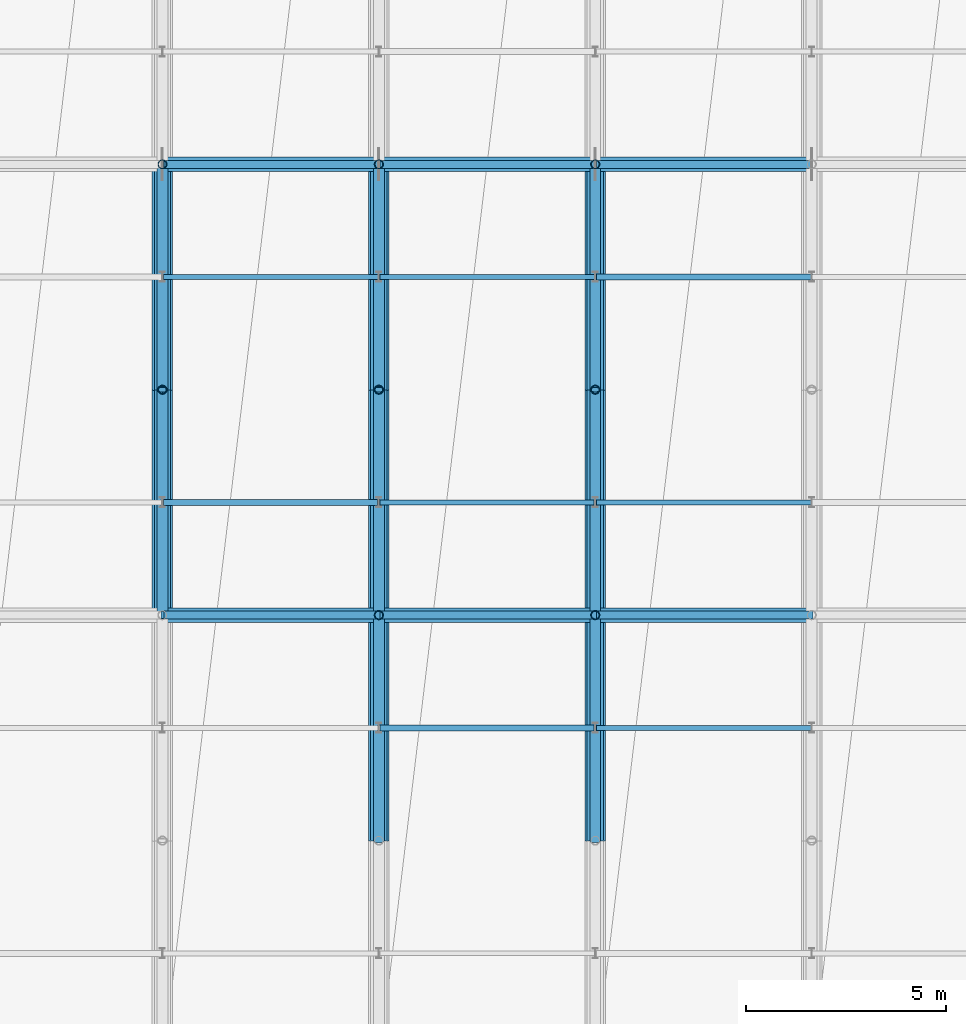
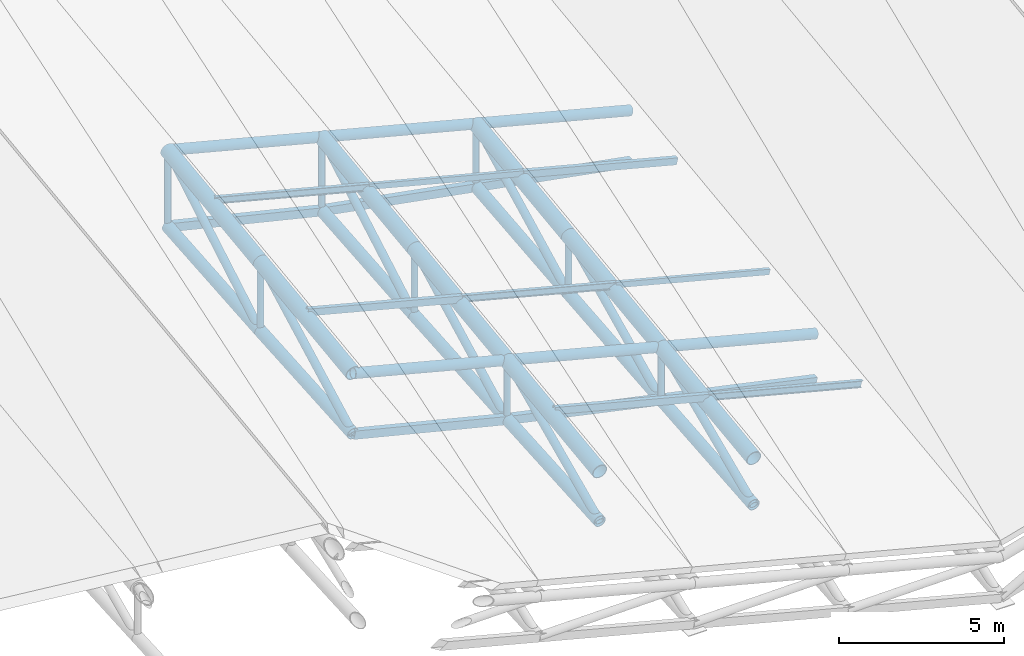
# One storey, part 10 of 109: 36 members, 16 beams.
"""IFC4 building model written with IfcOpenShell, lengths in metres."""

from ifc_helpers import new_model, si_unit, direction, frame, origin, origin_2d, place, context, subcontext, project, spatial, hollow_rectangle, hollow_circle, i_section, extrude, material, material_profile, profile_set, type_object, element, save


model = new_model("IFC4")

# Units and contexts
model_context = context("Model", 3, precision=1e-05, world=origin(), true_north=direction((0.0, 1.0)))
body_context = subcontext(model_context, "Body", "Model", "MODEL_VIEW")
ifc_project = project(units=[si_unit("LENGTHUNIT", "METRE"), si_unit("AREAUNIT", "SQUARE_METRE"), si_unit("VOLUMEUNIT", "CUBIC_METRE"), si_unit("PLANEANGLEUNIT", "RADIAN"), si_unit("MASSUNIT", "GRAM", prefix="KILO")], contexts=[model_context])

# Site, building, storey
site_placement = place(None, origin())
site = spatial("IfcSite", under=ifc_project, at=site_placement, CompositionType="ELEMENT")
building_placement = place(site_placement, origin())
building = spatial("IfcBuilding", under=site, at=building_placement, Name="Suirenkawa Promenade Aquatics Centre", CompositionType="ELEMENT")
storey_placement = place(building_placement, frame((0.0, 0.0, 22.800048828125)))
storey = spatial("IfcBuildingStorey", under=building, at=storey_placement, Name="ROOF", CompositionType="ELEMENT", Elevation=22.800048828125)

# Beams
ifc_material = material(Name="Steel IS 2062 E350 (Grade 350)", Category="steel")
ifc_material_profile_1 = material_profile(ifc_material, hollow_circle(Radius=0.202880859375, WallThickness=0.01806640625, at=origin_2d()), Name="CHS 406x18", Category="steel")
ifc_profile_set_1 = profile_set([ifc_material_profile_1], Name="Steel IS 2062 E350 (Grade 350)")
beam_type_1 = type_object("IfcBeamType", Name="BT-BC-CHS406", PredefinedType="BEAM", material=ifc_profile_set_1)
beam_1_placement = place(storey_placement, frame((117.0, 61.64990234375, -11.593994140625), z_axis=(0.0, 0.997470114587, 0.071087062854), x_axis=(-1.0, 0.0, 0.0)))
element("IfcBeam", 1, at=beam_1_placement, inside=storey, type_object=beam_type_1, Name="ROOF TRUSS V1 bottom chord BC-01 BM-2176", PredefinedType="BEAM", context=body_context, shape_type="SweptSolid", body=[
    extrude(hollow_circle(Radius=0.202880859375, WallThickness=0.01806640625, at=origin_2d()), origin(), (0.0, 0.0, 1.0), 5.63916015625),
])
beam_2_placement = place(storey_placement, frame((117.0, 67.27490234375, -11.193115234375), z_axis=(0.0, 0.996585022784, 0.082572951758), x_axis=(-1.0, 0.0, 0.0)))
element("IfcBeam", 2, at=beam_2_placement, inside=storey, type_object=beam_type_1, Name="ROOF TRUSS V1 bottom chord BC-01 BM-2178", PredefinedType="BEAM", context=body_context, shape_type="SweptSolid", body=[
    extrude(hollow_circle(Radius=0.202880859375, WallThickness=0.01806640625, at=origin_2d()), origin(), (0.0, 0.0, 1.0), 5.644287109375),
])
beam_3_placement = place(storey_placement, frame((122.39990234375, 56.02490234375, -13.318115234375), z_axis=(0.0, 0.997689299688, 0.067941602049), x_axis=(-1.0, 0.0, 0.0)))
element("IfcBeam", 3, at=beam_3_placement, inside=storey, type_object=beam_type_1, Name="ROOF TRUSS V1 bottom chord BC-01 BM-2202", PredefinedType="BEAM", context=body_context, shape_type="SweptSolid", body=[
    extrude(hollow_circle(Radius=0.202880859375, WallThickness=0.01806640625, at=origin_2d()), origin(), (0.0, 0.0, 1.0), 5.637939453125),
])
beam_4_placement = place(storey_placement, frame((122.39990234375, 61.64990234375, -12.93505859375), z_axis=(0.0, 0.997144169649, 0.075521552779), x_axis=(-1.0, 0.0, 0.0)))
element("IfcBeam", 4, at=beam_4_placement, inside=storey, type_object=beam_type_1, Name="ROOF TRUSS V1 bottom chord BC-01 BM-2204", PredefinedType="BEAM", context=body_context, shape_type="SweptSolid", body=[
    extrude(hollow_circle(Radius=0.202880859375, WallThickness=0.01806640625, at=origin_2d()), origin(), (0.0, 0.0, 1.0), 5.64111328125),
])
beam_5_placement = place(storey_placement, frame((122.39990234375, 67.27490234375, -12.509033203125), z_axis=(0.0, 0.99628701216, 0.086094072969), x_axis=(-1.0, 0.0, 0.0)))
element("IfcBeam", 5, at=beam_5_placement, inside=storey, type_object=beam_type_1, Name="ROOF TRUSS V1 bottom chord BC-01 BM-2206", PredefinedType="BEAM", context=body_context, shape_type="SweptSolid", body=[
    extrude(hollow_circle(Radius=0.202880859375, WallThickness=0.01806640625, at=origin_2d()), origin(), (0.0, 0.0, 1.0), 5.64599609375),
])
beam_6_placement = place(storey_placement, frame((127.800048828125, 56.02490234375, -14.59912109375), z_axis=(0.0, 0.996148531975, 0.087681823908), x_axis=(-1.0, 0.0, 0.0)))
element("IfcBeam", 6, at=beam_6_placement, inside=storey, type_object=beam_type_1, Name="ROOF TRUSS V1 bottom chord BC-01 BM-2230", PredefinedType="BEAM", context=body_context, shape_type="SweptSolid", body=[
    extrude(hollow_circle(Radius=0.202880859375, WallThickness=0.01806640625, at=origin_2d()), origin(), (0.0, 0.0, 1.0), 5.646728515625),
])
beam_7_placement = place(storey_placement, frame((127.800048828125, 61.64990234375, -14.10400390625), z_axis=(0.0, 0.995690271881, 0.092740942858), x_axis=(-1.0, 0.0, 0.0)))
element("IfcBeam", 7, at=beam_7_placement, inside=storey, type_object=beam_type_1, Name="ROOF TRUSS V1 bottom chord BC-01 BM-2232", PredefinedType="BEAM", context=body_context, shape_type="SweptSolid", body=[
    extrude(hollow_circle(Radius=0.202880859375, WallThickness=0.01806640625, at=origin_2d()), origin(), (0.0, 0.0, 1.0), 5.6494140625),
])
beam_8_placement = place(storey_placement, frame((127.800048828125, 67.27490234375, -13.580078125), z_axis=(0.0, 0.995011501931, 0.099760267772), x_axis=(-1.0, 0.0, 0.0)))
element("IfcBeam", 8, at=beam_8_placement, inside=storey, type_object=beam_type_1, Name="ROOF TRUSS V1 bottom chord BC-01 BM-2234", PredefinedType="BEAM", context=body_context, shape_type="SweptSolid", body=[
    extrude(hollow_circle(Radius=0.202880859375, WallThickness=0.01806640625, at=origin_2d()), origin(), (0.0, 0.0, 1.0), 5.6533203125),
])
ifc_material_profile_2 = material_profile(ifc_material, hollow_circle(Radius=0.25390625, WallThickness=0.02392578125, at=origin_2d()), Name="CHS 508x24", Category="steel")
ifc_profile_set_2 = profile_set([ifc_material_profile_2], Name="Steel IS 2062 E350 (Grade 350)")
beam_type_2 = type_object("IfcBeamType", Name="BT-TC-CHS508", PredefinedType="BEAM", material=ifc_profile_set_2)
for number, where, z_axis, x_axis, name in (
    (9, (117.0, 61.64990234375, -9.35009765625), (0.0, 0.991793720609, 0.127848409297), (-1.0, 0.0, 0.0), "ROOF TRUSS V1 top chord TC-02 BM-2175"),
    (10, (117.0, 67.27490234375, -8.625), (0.0, 0.991799178012, 0.127806065951), (-1.0, 0.0, 0.0), "ROOF TRUSS V1 top chord TC-02 BM-2177"),
    (11, (122.39990234375, 56.02490234375, -11.47509765625), (0.0, 0.991793720609, 0.127848409297), (-1.0, 0.0, 0.0), "ROOF TRUSS V1 top chord TC-02 BM-2201"),
    (12, (122.39990234375, 61.64990234375, -10.75), (0.0, 0.991799178012, 0.127806065951), (-1.0, 0.0, 0.0), "ROOF TRUSS V1 top chord TC-02 BM-2203"),
    (13, (122.39990234375, 67.27490234375, -10.025146484375), (0.0, 0.991793720609, 0.127848409297), (-1.0, 0.0, 0.0), "ROOF TRUSS V1 top chord TC-02 BM-2205"),
    (14, (127.800048828125, 56.02490234375, -12.875), (0.0, 0.991799178012, 0.127806065951), (-1.0, 0.0, 0.0), "ROOF TRUSS V1 top chord TC-02 BM-2229"),
    (15, (127.800048828125, 61.64990234375, -12.150146484375), (0.0, 0.991793720609, 0.127848409297), (-1.0, 0.0, 0.0), "ROOF TRUSS V1 top chord TC-02 BM-2231"),
    (16, (127.800048828125, 67.27490234375, -11.425048828125), (0.0, 0.991793720609, 0.127848409297), (-1.0, 0.0, 0.0), "ROOF TRUSS V1 top chord TC-02 BM-2233"),
):
    element("IfcBeam", number, at=place(storey_placement, frame(where, z_axis=z_axis, x_axis=x_axis)), inside=storey, type_object=beam_type_2, Name=name, PredefinedType="BEAM", context=body_context, shape_type="SweptSolid", body=[
        extrude(hollow_circle(Radius=0.25390625, WallThickness=0.02392578125, at=origin_2d()), origin(), (0.0, 0.0, 1.0), 5.671630859375),
    ])

# Members
ifc_material_profile_3 = material_profile(ifc_material, hollow_circle(Radius=0.177978515625, WallThickness=0.01611328125, at=origin_2d()), Name="CHS 356x16", Category="steel")
ifc_profile_set_3 = profile_set([ifc_material_profile_3], Name="Steel IS 2062 E350 (Grade 350)")
member_type_1 = type_object("IfcMemberType", Name="MT-CHORD-CHS356", PredefinedType="CHORD", material=ifc_profile_set_3)
member_1_placement = place(storey_placement, frame((117.0, 61.64990234375, -9.35009765625), z_axis=(0.968000048288, 0.0, -0.250950007997), x_axis=(0.0, 1.0, 0.0)))
element("IfcMember", 17, at=member_1_placement, inside=storey, type_object=member_type_1, Name="ROOF TRUSS V1 tie chord CH-02 MB-0714", PredefinedType="CHORD", context=body_context, shape_type="SweptSolid", body=[
    extrude(hollow_circle(Radius=0.177978515625, WallThickness=0.01611328125, at=origin_2d()), origin(), (0.0, 0.0, 1.0), 5.578369140625),
])
member_2_placement = place(storey_placement, frame((122.39990234375, 61.64990234375, -10.75), z_axis=(0.967992172948, 0.0, -0.250980383917), x_axis=(0.0, 1.0, 0.0)))
element("IfcMember", 18, at=member_2_placement, inside=storey, type_object=member_type_1, Name="ROOF TRUSS V1 tie chord CH-02 MB-0716", PredefinedType="CHORD", context=body_context, shape_type="SweptSolid", body=[
    extrude(hollow_circle(Radius=0.177978515625, WallThickness=0.01611328125, at=origin_2d()), origin(), (0.0, 0.0, 1.0), 5.57861328125),
])
for number, where, z_axis, x_axis, name in (
    (19, (127.800048828125, 61.64990234375, -12.150146484375), (0.968000048288, 0.0, -0.250950007997), (0.0, 1.0, 0.0), "ROOF TRUSS V1 tie chord CH-02 MB-0718"),
    (20, (117.0, 72.89990234375, -7.900146484375), (0.968000048288, 0.0, -0.250950007997), (0.0, 1.0, 0.0), "ROOF TRUSS V1 tie chord CH-02 MB-0754"),
):
    element("IfcMember", number, at=place(storey_placement, frame(where, z_axis=z_axis, x_axis=x_axis)), inside=storey, type_object=member_type_1, Name=name, PredefinedType="CHORD", context=body_context, shape_type="SweptSolid", body=[
        extrude(hollow_circle(Radius=0.177978515625, WallThickness=0.01611328125, at=origin_2d()), origin(), (0.0, 0.0, 1.0), 5.578369140625),
    ])
member_3_placement = place(storey_placement, frame((122.39990234375, 72.89990234375, -9.300048828125), z_axis=(0.96800280427, 0.0, -0.250939376992), x_axis=(0.0, 1.0, 0.0)))
element("IfcMember", 21, at=member_3_placement, inside=storey, type_object=member_type_1, Name="ROOF TRUSS V1 tie chord CH-02 MB-0756", PredefinedType="CHORD", context=body_context, shape_type="SweptSolid", body=[
    extrude(hollow_circle(Radius=0.177978515625, WallThickness=0.01611328125, at=origin_2d()), origin(), (0.0, 0.0, 1.0), 5.57861328125),
])
member_4_placement = place(storey_placement, frame((127.800048828125, 72.89990234375, -10.699951171875), z_axis=(0.967989416096, 0.0, -0.250991016426), x_axis=(0.0, 1.0, 0.0)))
element("IfcMember", 22, at=member_4_placement, inside=storey, type_object=member_type_1, Name="ROOF TRUSS V1 tie chord CH-02 MB-0758", PredefinedType="CHORD", context=body_context, shape_type="SweptSolid", body=[
    extrude(hollow_circle(Radius=0.177978515625, WallThickness=0.01611328125, at=origin_2d()), origin(), (0.0, 0.0, 1.0), 5.578369140625),
])
ifc_material_profile_4 = material_profile(ifc_material, hollow_rectangle(XDim=0.199951171875, YDim=0.300048828125, WallThickness=0.011962890625, at=origin_2d()), Name="RHS 300x200x12", Category="steel")
ifc_profile_set_4 = profile_set([ifc_material_profile_4], Name="Steel IS 2062 E350 (Grade 350)")
member_type_2 = type_object("IfcMemberType", Name="MT-CHORD-RHS300", PredefinedType="CHORD", material=ifc_profile_set_4)
member_5_placement = place(storey_placement, frame((117.0, 61.64990234375, -11.593994140625), z_axis=(0.970518173216, 0.0, -0.241027955759), x_axis=(0.0, 1.0, 0.0)))
element("IfcMember", 23, at=member_5_placement, inside=storey, type_object=member_type_2, Name="ROOF TRUSS V1 bottom tie CH-03 MB-0715", PredefinedType="CHORD", context=body_context, shape_type="SweptSolid", body=[
    extrude(hollow_rectangle(XDim=0.199951171875, YDim=0.300048828125, WallThickness=0.011962890625, at=origin_2d()), origin(), (0.0, 0.0, 1.0), 5.56396484375),
])
member_6_placement = place(storey_placement, frame((122.39990234375, 61.64990234375, -12.93505859375), z_axis=(0.977363814937, 0.0, -0.211565529451), x_axis=(0.0, 1.0, 0.0)))
element("IfcMember", 24, at=member_6_placement, inside=storey, type_object=member_type_2, Name="ROOF TRUSS V1 bottom tie CH-03 MB-0717", PredefinedType="CHORD", context=body_context, shape_type="SweptSolid", body=[
    extrude(hollow_rectangle(XDim=0.199951171875, YDim=0.300048828125, WallThickness=0.011962890625, at=origin_2d()), origin(), (0.0, 0.0, 1.0), 5.525146484375),
])
member_7_placement = place(storey_placement, frame((127.800048828125, 61.64990234375, -14.10400390625), z_axis=(0.977361837017, 0.0, -0.21157466659), x_axis=(0.0, 1.0, 0.0)))
element("IfcMember", 25, at=member_7_placement, inside=storey, type_object=member_type_2, Name="ROOF TRUSS V1 bottom tie CH-03 MB-0719", PredefinedType="CHORD", context=body_context, shape_type="SweptSolid", body=[
    extrude(hollow_rectangle(XDim=0.199951171875, YDim=0.300048828125, WallThickness=0.011962890625, at=origin_2d()), origin(), (0.0, 0.0, 1.0), 5.52490234375),
])
member_8_placement = place(storey_placement, frame((117.0, 72.89990234375, -10.72705078125), z_axis=(0.972390494417, 0.0, -0.233359650256), x_axis=(0.0, 1.0, 0.0)))
element("IfcMember", 26, at=member_8_placement, inside=storey, type_object=member_type_2, Name="ROOF TRUSS V1 bottom tie CH-03 MB-0755", PredefinedType="CHORD", context=body_context, shape_type="SweptSolid", body=[
    extrude(hollow_rectangle(XDim=0.199951171875, YDim=0.300048828125, WallThickness=0.011962890625, at=origin_2d()), origin(), (0.0, 0.0, 1.0), 5.55322265625),
])
member_9_placement = place(storey_placement, frame((122.39990234375, 72.89990234375, -12.02294921875), z_axis=(0.983505057937, 0.0, -0.180880626416), x_axis=(0.0, 1.0, 0.0)))
element("IfcMember", 27, at=member_9_placement, inside=storey, type_object=member_type_2, Name="ROOF TRUSS V1 bottom tie CH-03 MB-0757", PredefinedType="CHORD", context=body_context, shape_type="SweptSolid", body=[
    extrude(hollow_rectangle(XDim=0.199951171875, YDim=0.300048828125, WallThickness=0.011962890625, at=origin_2d()), origin(), (0.0, 0.0, 1.0), 5.49072265625),
])
member_10_placement = place(storey_placement, frame((127.800048828125, 72.89990234375, -13.01611328125), z_axis=(0.983543134843, 0.0, -0.180673467622), x_axis=(0.0, 1.0, 0.0)))
element("IfcMember", 28, at=member_10_placement, inside=storey, type_object=member_type_2, Name="ROOF TRUSS V1 bottom tie CH-03 MB-0759", PredefinedType="CHORD", context=body_context, shape_type="SweptSolid", body=[
    extrude(hollow_rectangle(XDim=0.199951171875, YDim=0.300048828125, WallThickness=0.011962890625, at=origin_2d()), origin(), (0.0, 0.0, 1.0), 5.490234375),
])
ifc_material_profile_5 = material_profile(ifc_material, i_section(OverallWidth=0.125, OverallDepth=0.25, WebThickness=0.007080078125, FlangeThickness=0.012939453125, at=origin_2d()), Name="ISMB 250", Category="steel")
ifc_profile_set_5 = profile_set([ifc_material_profile_5], Name="Steel IS 2062 E350 (Grade 350)")
member_type_3 = type_object("IfcMemberType", Name="MT-PURLIN-ISMB250", PredefinedType="PURLIN", material=ifc_profile_set_5)
member_11_placement = place(storey_placement, frame((117.0, 70.087890625, -8.0419921875), z_axis=(0.967989416096, 0.0, -0.250991016426), x_axis=(0.0, 1.0, 0.0)))
element("IfcMember", 29, at=member_11_placement, inside=storey, type_object=member_type_3, Name="ROOF TRUSS Roof purlin PU-04 MB-2163", PredefinedType="PURLIN", context=body_context, shape_type="SweptSolid", body=[
    extrude(i_section(OverallWidth=0.125, OverallDepth=0.25, WebThickness=0.007080078125, FlangeThickness=0.012939453125, at=origin_2d()), origin(), (0.0, 0.0, 1.0), 5.578369140625),
])
member_12_placement = place(storey_placement, frame((122.39990234375, 64.462890625, -10.1669921875), z_axis=(0.967992172948, 0.0, -0.250980383917), x_axis=(0.0, 1.0, 0.0)))
element("IfcMember", 30, at=member_12_placement, inside=storey, type_object=member_type_3, Name="ROOF TRUSS Roof purlin PU-04 MB-2197", PredefinedType="PURLIN", context=body_context, shape_type="SweptSolid", body=[
    extrude(i_section(OverallWidth=0.125, OverallDepth=0.25, WebThickness=0.007080078125, FlangeThickness=0.012939453125, at=origin_2d()), origin(), (0.0, 0.0, 1.0), 5.57861328125),
])
member_13_placement = place(storey_placement, frame((127.800048828125, 58.8369140625, -12.2919921875), z_axis=(0.967989416096, 0.0, -0.250991016426), x_axis=(0.0, 1.0, 0.0)))
element("IfcMember", 31, at=member_13_placement, inside=storey, type_object=member_type_3, Name="ROOF TRUSS Roof purlin PU-04 MB-2231", PredefinedType="PURLIN", context=body_context, shape_type="SweptSolid", body=[
    extrude(i_section(OverallWidth=0.125, OverallDepth=0.25, WebThickness=0.007080078125, FlangeThickness=0.012939453125, at=origin_2d()), origin(), (0.0, 0.0, 1.0), 5.578369140625),
])
ifc_material_profile_6 = material_profile(ifc_material, hollow_rectangle(XDim=0.1201171875, YDim=0.199951171875, WallThickness=0.008056640625, at=origin_2d()), Name="RHS 200x120x8", Category="steel")
ifc_profile_set_6 = profile_set([ifc_material_profile_6], Name="Steel IS 2062 E350 (Grade 350)")
member_type_4 = type_object("IfcMemberType", Name="MT-PURLIN-RHS200", PredefinedType="PURLIN", material=ifc_profile_set_6)
member_14_placement = place(storey_placement, frame((122.39990234375, 70.087890625, -9.416015625), z_axis=(0.967992172948, 0.0, -0.250980383917), x_axis=(0.0, 1.0, 0.0)))
element("IfcMember", 32, at=member_14_placement, inside=storey, type_object=member_type_4, Name="ROOF TRUSS Roof purlin PU-02 MB-2199", PredefinedType="PURLIN", context=body_context, shape_type="SweptSolid", body=[
    extrude(hollow_rectangle(XDim=0.1201171875, YDim=0.199951171875, WallThickness=0.008056640625, at=origin_2d()), origin(), (0.0, 0.0, 1.0), 5.57861328125),
])
member_15_placement = place(storey_placement, frame((127.800048828125, 64.462890625, -11.541015625), z_axis=(0.967989416096, 0.0, -0.250991016426), x_axis=(0.0, 1.0, 0.0)))
element("IfcMember", 33, at=member_15_placement, inside=storey, type_object=member_type_4, Name="ROOF TRUSS Roof purlin PU-02 MB-2233", PredefinedType="PURLIN", context=body_context, shape_type="SweptSolid", body=[
    extrude(hollow_rectangle(XDim=0.1201171875, YDim=0.199951171875, WallThickness=0.008056640625, at=origin_2d()), origin(), (0.0, 0.0, 1.0), 5.578369140625),
])
ifc_material_profile_7 = material_profile(ifc_material, hollow_rectangle(XDim=0.14990234375, YDim=0.25, WallThickness=0.010009765625, at=origin_2d()), Name="RHS 250x150x10", Category="steel")
ifc_profile_set_7 = profile_set([ifc_material_profile_7], Name="Steel IS 2062 E350 (Grade 350)")
member_type_5 = type_object("IfcMemberType", Name="MT-PURLIN-RHS250", PredefinedType="PURLIN", material=ifc_profile_set_7)
member_16_placement = place(storey_placement, frame((117.0, 64.462890625, -8.76806640625), z_axis=(0.968000048288, 0.0, -0.250950007997), x_axis=(0.0, 1.0, 0.0)))
element("IfcMember", 34, at=member_16_placement, inside=storey, type_object=member_type_5, Name="ROOF TRUSS Roof purlin PU-03 MB-2161", PredefinedType="PURLIN", context=body_context, shape_type="SweptSolid", body=[
    extrude(hollow_rectangle(XDim=0.14990234375, YDim=0.25, WallThickness=0.010009765625, at=origin_2d()), origin(), (0.0, 0.0, 1.0), 5.578369140625),
])
member_17_placement = place(storey_placement, frame((122.39990234375, 58.8369140625, -10.89306640625), z_axis=(0.96800280427, 0.0, -0.250939376992), x_axis=(0.0, 1.0, 0.0)))
element("IfcMember", 35, at=member_17_placement, inside=storey, type_object=member_type_5, Name="ROOF TRUSS Roof purlin PU-03 MB-2195", PredefinedType="PURLIN", context=body_context, shape_type="SweptSolid", body=[
    extrude(hollow_rectangle(XDim=0.14990234375, YDim=0.25, WallThickness=0.010009765625, at=origin_2d()), origin(), (0.0, 0.0, 1.0), 5.57861328125),
])
member_18_placement = place(storey_placement, frame((127.800048828125, 70.087890625, -10.843017578125), z_axis=(0.967989416096, 0.0, -0.250991016426), x_axis=(0.0, 1.0, 0.0)))
element("IfcMember", 36, at=member_18_placement, inside=storey, type_object=member_type_5, Name="ROOF TRUSS Roof purlin PU-03 MB-2235", PredefinedType="PURLIN", context=body_context, shape_type="SweptSolid", body=[
    extrude(hollow_rectangle(XDim=0.14990234375, YDim=0.25, WallThickness=0.010009765625, at=origin_2d()), origin(), (0.0, 0.0, 1.0), 5.578369140625),
])
ifc_material_profile_8 = material_profile(ifc_material, hollow_circle(Radius=0.110107421875, WallThickness=0.010009765625, at=origin_2d()), Name="CHS 220x10", Category="steel")
ifc_profile_set_8 = profile_set([ifc_material_profile_8], Name="Steel IS 2062 E350 (Grade 350)")
member_type_6 = type_object("IfcMemberType", Name="MT-WEB-CHS220", PredefinedType="BRACE", material=ifc_profile_set_8)
member_19_placement = place(storey_placement, frame((117.0, 67.27490234375, -11.193115234375), z_axis=(0.0, 0.0, 1.0), x_axis=(1.0, 0.0, 0.0)))
element("IfcMember", 37, at=member_19_placement, inside=storey, type_object=member_type_6, Name="ROOF TRUSS V1 web post TD-01 MB-0368", PredefinedType="BRACE", context=body_context, shape_type="SweptSolid", body=[
    extrude(hollow_circle(Radius=0.110107421875, WallThickness=0.010009765625, at=origin_2d()), origin(), (0.0, 0.0, 1.0), 2.568115234375),
])
member_20_placement = place(storey_placement, frame((117.0, 72.89990234375, -10.72705078125), z_axis=(0.0, 0.0, 1.0), x_axis=(1.0, 0.0, 0.0)))
element("IfcMember", 38, at=member_20_placement, inside=storey, type_object=member_type_6, Name="ROOF TRUSS V1 web post TD-01 MB-0369", PredefinedType="BRACE", context=body_context, shape_type="SweptSolid", body=[
    extrude(hollow_circle(Radius=0.110107421875, WallThickness=0.010009765625, at=origin_2d()), origin(), (0.0, 0.0, 1.0), 2.826904296875),
])
member_21_placement = place(storey_placement, frame((122.39990234375, 61.64990234375, -12.93505859375), z_axis=(0.0, 0.0, 1.0), x_axis=(1.0, 0.0, 0.0)))
element("IfcMember", 39, at=member_21_placement, inside=storey, type_object=member_type_6, Name="ROOF TRUSS V1 web post TD-01 MB-0394", PredefinedType="BRACE", context=body_context, shape_type="SweptSolid", body=[
    extrude(hollow_circle(Radius=0.110107421875, WallThickness=0.010009765625, at=origin_2d()), origin(), (0.0, 0.0, 1.0), 2.18505859375),
])
member_22_placement = place(storey_placement, frame((122.39990234375, 67.27490234375, -12.509033203125), z_axis=(0.0, 0.0, 1.0), x_axis=(1.0, 0.0, 0.0)))
element("IfcMember", 40, at=member_22_placement, inside=storey, type_object=member_type_6, Name="ROOF TRUSS V1 web post TD-01 MB-0395", PredefinedType="BRACE", context=body_context, shape_type="SweptSolid", body=[
    extrude(hollow_circle(Radius=0.110107421875, WallThickness=0.010009765625, at=origin_2d()), origin(), (0.0, 0.0, 1.0), 2.48388671875),
])
member_23_placement = place(storey_placement, frame((122.39990234375, 72.89990234375, -12.02294921875), z_axis=(0.0, 0.0, 1.0), x_axis=(1.0, 0.0, 0.0)))
element("IfcMember", 41, at=member_23_placement, inside=storey, type_object=member_type_6, Name="ROOF TRUSS V1 web post TD-01 MB-0396", PredefinedType="BRACE", context=body_context, shape_type="SweptSolid", body=[
    extrude(hollow_circle(Radius=0.110107421875, WallThickness=0.010009765625, at=origin_2d()), origin(), (0.0, 0.0, 1.0), 2.722900390625),
])
member_24_placement = place(storey_placement, frame((127.800048828125, 61.64990234375, -14.10400390625), z_axis=(0.0, 0.0, 1.0), x_axis=(1.0, 0.0, 0.0)))
element("IfcMember", 42, at=member_24_placement, inside=storey, type_object=member_type_6, Name="ROOF TRUSS V1 web post TD-01 MB-0421", PredefinedType="BRACE", context=body_context, shape_type="SweptSolid", body=[
    extrude(hollow_circle(Radius=0.110107421875, WallThickness=0.010009765625, at=origin_2d()), origin(), (0.0, 0.0, 1.0), 1.953857421875),
])
member_25_placement = place(storey_placement, frame((127.800048828125, 67.27490234375, -13.580078125), z_axis=(0.0, 0.0, 1.0), x_axis=(1.0, 0.0, 0.0)))
element("IfcMember", 43, at=member_25_placement, inside=storey, type_object=member_type_6, Name="ROOF TRUSS V1 web post TD-01 MB-0422", PredefinedType="BRACE", context=body_context, shape_type="SweptSolid", body=[
    extrude(hollow_circle(Radius=0.110107421875, WallThickness=0.010009765625, at=origin_2d()), origin(), (0.0, 0.0, 1.0), 2.155029296875),
])
member_26_placement = place(storey_placement, frame((127.800048828125, 72.89990234375, -13.01611328125), z_axis=(0.0, 0.0, 1.0), x_axis=(1.0, 0.0, 0.0)))
element("IfcMember", 44, at=member_26_placement, inside=storey, type_object=member_type_6, Name="ROOF TRUSS V1 web post TD-01 MB-0423", PredefinedType="BRACE", context=body_context, shape_type="SweptSolid", body=[
    extrude(hollow_circle(Radius=0.110107421875, WallThickness=0.010009765625, at=origin_2d()), origin(), (0.0, 0.0, 1.0), 2.316162109375),
])
ifc_material_profile_9 = material_profile(ifc_material, hollow_circle(Radius=0.136962890625, WallThickness=0.011962890625, at=origin_2d()), Name="CHS 274x12", Category="steel")
ifc_profile_set_9 = profile_set([ifc_material_profile_9], Name="Steel IS 2062 E350 (Grade 350)")
member_type_7 = type_object("IfcMemberType", Name="MT-WEB-CHS274", PredefinedType="BRACE", material=ifc_profile_set_9)
member_27_placement = place(storey_placement, frame((117.0, 61.64990234375, -11.593994140625), z_axis=(0.0, 0.884368907617, 0.466788640865), x_axis=(-1.0, 0.0, 0.0)))
element("IfcMember", 45, at=member_27_placement, inside=storey, type_object=member_type_7, Name="ROOF TRUSS V1 web diagonal TD-02 MB-0354", PredefinedType="BRACE", context=body_context, shape_type="SweptSolid", body=[
    extrude(hollow_circle(Radius=0.136962890625, WallThickness=0.011962890625, at=origin_2d()), origin(), (0.0, 0.0, 1.0), 6.3603515625),
])
member_28_placement = place(storey_placement, frame((117.0, 67.27490234375, -11.193115234375), z_axis=(0.0, 0.862995350533, 0.505211861458), x_axis=(-1.0, 0.0, 0.0)))
element("IfcMember", 46, at=member_28_placement, inside=storey, type_object=member_type_7, Name="ROOF TRUSS V1 web diagonal TD-02 MB-0355", PredefinedType="BRACE", context=body_context, shape_type="SweptSolid", body=[
    extrude(hollow_circle(Radius=0.136962890625, WallThickness=0.011962890625, at=origin_2d()), origin(), (0.0, 0.0, 1.0), 6.51806640625),
])
member_29_placement = place(storey_placement, frame((122.39990234375, 56.02490234375, -13.318115234375), z_axis=(0.0, 0.909676978705, 0.415316499088), x_axis=(-1.0, 0.0, 0.0)))
element("IfcMember", 47, at=member_29_placement, inside=storey, type_object=member_type_7, Name="ROOF TRUSS V1 web diagonal TD-02 MB-0380", PredefinedType="BRACE", context=body_context, shape_type="SweptSolid", body=[
    extrude(hollow_circle(Radius=0.136962890625, WallThickness=0.011962890625, at=origin_2d()), origin(), (0.0, 0.0, 1.0), 6.18359375),
])
member_30_placement = place(storey_placement, frame((122.39990234375, 61.64990234375, -12.93505859375), z_axis=(0.0, 0.88818997674, 0.459476403332), x_axis=(-1.0, 0.0, 0.0)))
element("IfcMember", 48, at=member_30_placement, inside=storey, type_object=member_type_7, Name="ROOF TRUSS V1 web diagonal TD-02 MB-0381", PredefinedType="BRACE", context=body_context, shape_type="SweptSolid", body=[
    extrude(hollow_circle(Radius=0.136962890625, WallThickness=0.011962890625, at=origin_2d()), origin(), (0.0, 0.0, 1.0), 6.3330078125),
])
member_31_placement = place(storey_placement, frame((122.39990234375, 67.27490234375, -12.509033203125), z_axis=(0.0, 0.868595557765, 0.495521701878), x_axis=(-1.0, 0.0, 0.0)))
element("IfcMember", 49, at=member_31_placement, inside=storey, type_object=member_type_7, Name="ROOF TRUSS V1 web diagonal TD-02 MB-0382", PredefinedType="BRACE", context=body_context, shape_type="SweptSolid", body=[
    extrude(hollow_circle(Radius=0.136962890625, WallThickness=0.011962890625, at=origin_2d()), origin(), (0.0, 0.0, 1.0), 6.47607421875),
])
member_32_placement = place(storey_placement, frame((127.800048828125, 56.02490234375, -14.59912109375), z_axis=(0.0, 0.916871918214, 0.399181519601), x_axis=(-1.0, 0.0, 0.0)))
element("IfcMember", 50, at=member_32_placement, inside=storey, type_object=member_type_7, Name="ROOF TRUSS V1 web diagonal TD-02 MB-0407", PredefinedType="BRACE", context=body_context, shape_type="SweptSolid", body=[
    extrude(hollow_circle(Radius=0.136962890625, WallThickness=0.011962890625, at=origin_2d()), origin(), (0.0, 0.0, 1.0), 6.135009765625),
])
member_33_placement = place(storey_placement, frame((127.800048828125, 61.64990234375, -14.10400390625), z_axis=(0.0, 0.902836614927, 0.429983774982), x_axis=(-1.0, 0.0, 0.0)))
element("IfcMember", 51, at=member_33_placement, inside=storey, type_object=member_type_7, Name="ROOF TRUSS V1 web diagonal TD-02 MB-0408", PredefinedType="BRACE", context=body_context, shape_type="SweptSolid", body=[
    extrude(hollow_circle(Radius=0.136962890625, WallThickness=0.011962890625, at=origin_2d()), origin(), (0.0, 0.0, 1.0), 6.23046875),
])
member_34_placement = place(storey_placement, frame((127.800048828125, 67.27490234375, -13.580078125), z_axis=(0.0, 0.890105675562, 0.455754195079), x_axis=(-1.0, 0.0, 0.0)))
element("IfcMember", 52, at=member_34_placement, inside=storey, type_object=member_type_7, Name="ROOF TRUSS V1 web diagonal TD-02 MB-0409", PredefinedType="BRACE", context=body_context, shape_type="SweptSolid", body=[
    extrude(hollow_circle(Radius=0.136962890625, WallThickness=0.011962890625, at=origin_2d()), origin(), (0.0, 0.0, 1.0), 6.319580078125),
])

save(model, "model.ifc")
